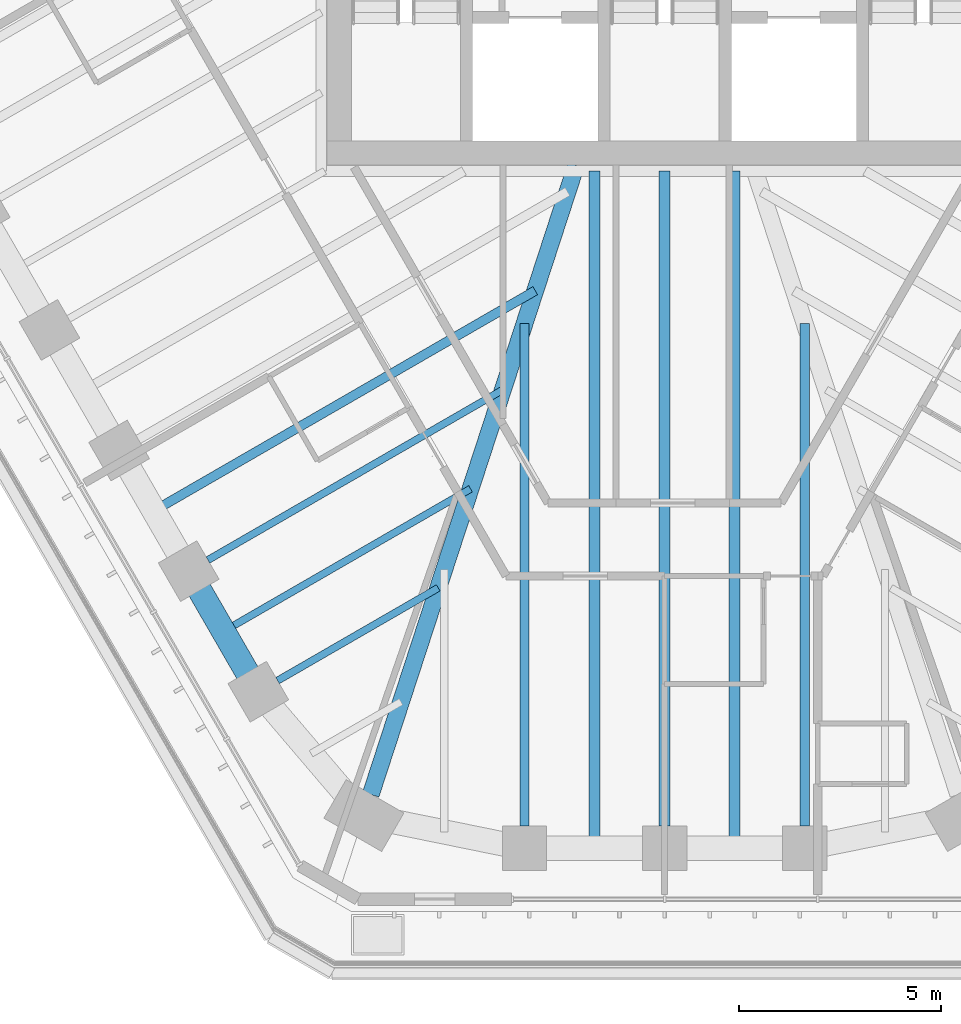
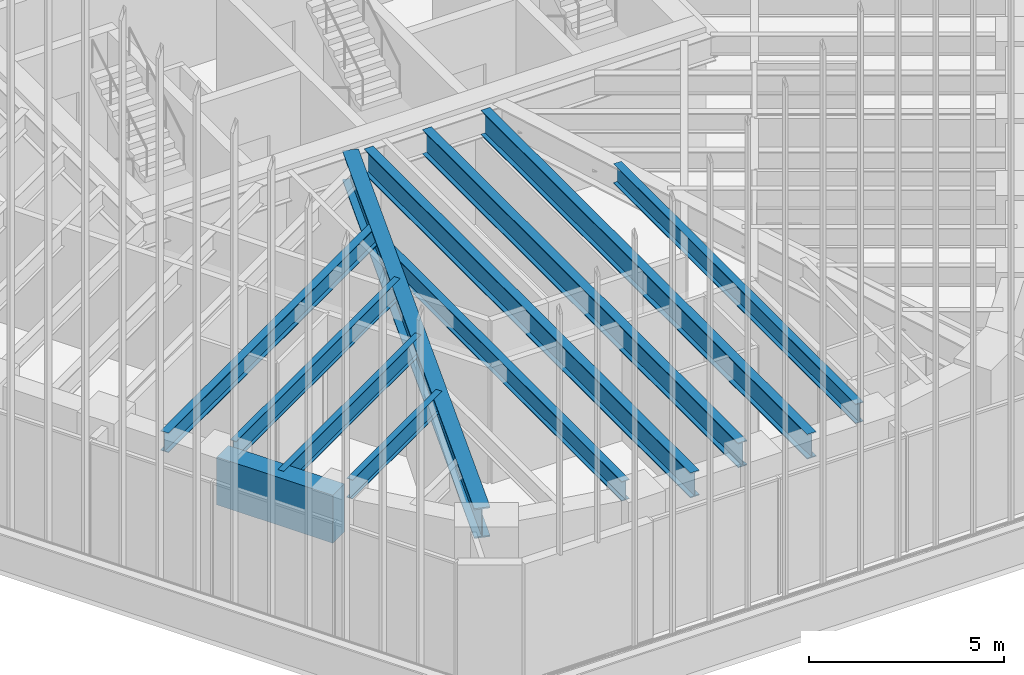
# One storey, part 18 of 127: 11 beams.
"""IFC4 building model written with IfcOpenShell, lengths in metres."""

import ifcopenshell
import ifcopenshell.guid

model = None  # the IFC model being written
_history = None  # IfcOwnerHistory: only IFC2X3 demands one
_inside = {}  # id of a spatial element -> (the spatial element, [elements in it])
_under = {}  # id of a project, library or spatial element -> (it, [spatial elements below it])
_declared = {}  # id of a project -> (the project, [libraries it declares])
_typed = {}  # id of a type object -> (the type object, [elements of that type])
_made_of = {}  # id of a material, layer set ... -> (it, [elements and type objects made of it])


def new_model(schema):
    """Start an empty IFC model of exactly this schema.

    Asked for "IFC4X3", IfcOpenShell would pick the latest addendum, in which some entities
    have other attributes; the version numbers below select the first issue.
    IFC2X3 requires an IfcOwnerHistory on every rooted entity: one is made here for all.
    """
    global model, _history
    if schema == "IFC4X3":
        model = ifcopenshell.file(schema_version=(4, 3, 0, 0))
    else:
        model = ifcopenshell.file(schema=schema)
    _inside.clear()
    _under.clear()
    _declared.clear()
    _typed.clear()
    _made_of.clear()
    _history = None
    if model.schema == "IFC2X3":
        org = make("IfcOrganization", Name="unknown")
        user = make(
            "IfcPersonAndOrganization",
            ThePerson=make("IfcPerson", FamilyName="unknown"),
            TheOrganization=org,
        )
        app = make(
            "IfcApplication",
            ApplicationDeveloper=org,
            Version="unknown",
            ApplicationFullName="unknown",
            ApplicationIdentifier="unknown",
        )
        _history = make(
            "IfcOwnerHistory",
            OwningUser=user,
            OwningApplication=app,
            ChangeAction="ADDED",
            CreationDate=0,
        )
    return model


def make(cls, **values):
    """One entity of the class cls with the attributes given. An attribute that is None is left unset."""
    return model.create_entity(
        cls, **{name: value for name, value in values.items() if value is not None}
    )


def rooted(cls, **values):
    """An entity with a GlobalId (a new one), such as an element, a storey or a relation."""
    return make(cls, GlobalId=ifcopenshell.guid.new(), OwnerHistory=_history, **values)


def si_unit(unit_type, name, prefix=None):
    """IfcSIUnit, for example si_unit("LENGTHUNIT", "METRE", prefix="MILLI")."""
    return make("IfcSIUnit", UnitType=unit_type, Prefix=prefix, Name=name)


def assignment(units):
    """IfcUnitAssignment: the units of a project."""
    return None if units is None else make("IfcUnitAssignment", Units=units)


def point(xyz):
    """IfcCartesianPoint."""
    return None if xyz is None else make("IfcCartesianPoint", Coordinates=xyz)


def direction(xyz):
    """IfcDirection."""
    return None if xyz is None else make("IfcDirection", DirectionRatios=xyz)


def frame(location, z_axis=None, x_axis=None):
    """IfcAxis2Placement3D, a coordinate frame: its origin and axes. An axis left out is left unset."""
    return make(
        "IfcAxis2Placement3D",
        Location=point(location),
        Axis=direction(z_axis),
        RefDirection=direction(x_axis),
    )


def frame_2d(location, x_axis=None):
    """IfcAxis2Placement2D, a coordinate frame in the plane: its origin and x axis."""
    return make(
        "IfcAxis2Placement2D", Location=point(location), RefDirection=direction(x_axis)
    )


def origin():
    """The frame at (0, 0, 0) with its axes left unset."""
    return frame((0.0, 0.0, 0.0))


def origin_2d():
    """The frame at (0, 0) in the plane with its x axis left unset."""
    return frame_2d((0.0, 0.0))


def place(relative_to, where):
    """IfcLocalPlacement: puts the frame where relative to a parent placement (None: the world)."""
    return make(
        "IfcLocalPlacement", PlacementRelTo=relative_to, RelativePlacement=where
    )


def context(
    kind, dimensions, precision=None, world=None, true_north=None, identifier=None
):
    """IfcGeometricRepresentationContext, for example the 3D "Model" context."""
    return make(
        "IfcGeometricRepresentationContext",
        ContextIdentifier=identifier,
        ContextType=kind,
        CoordinateSpaceDimension=dimensions,
        Precision=precision,
        WorldCoordinateSystem=world,
        TrueNorth=true_north,
    )


def subcontext(parent, identifier, kind, view, scale=None):
    """IfcGeometricRepresentationSubContext, for example "Body" below "Model"."""
    return make(
        "IfcGeometricRepresentationSubContext",
        ContextIdentifier=identifier,
        ContextType=kind,
        ParentContext=parent,
        TargetScale=scale,
        TargetView=view,
    )


def project(units=None, contexts=None):
    """IfcProject with its units and contexts."""
    return rooted(
        "IfcProject",
        Name="project",
        RepresentationContexts=contexts,
        UnitsInContext=assignment(units),
    )


def spatial(cls, under=None, at=None, **own):
    """A site, building, storey or space (cls), placed at a placement, below another one or the project."""
    s = rooted(cls, ObjectPlacement=at, **own)
    if under is not None:
        _under.setdefault(under.id(), (under, []))[1].append(s)
    return s


def profile(cls, at=None, kind="AREA", **sizes):
    """A parametric profile (cls). Its sizes go by their IFC names, for example OverallWidth=200.0."""
    return make(cls, ProfileType=kind, Position=at, **sizes)


def rectangle(**sizes):
    """IfcRectangleProfileDef."""
    return profile("IfcRectangleProfileDef", **sizes)


def i_section(**sizes):
    """IfcIShapeProfileDef."""
    return profile("IfcIShapeProfileDef", **sizes)


def extrude(swept, where, along, depth):
    """IfcExtrudedAreaSolid: the profile swept, set in the frame where, extruded along a direction by depth."""
    return make(
        "IfcExtrudedAreaSolid",
        SweptArea=swept,
        Position=where,
        ExtrudedDirection=direction(along),
        Depth=depth,
    )


def shape(context_of_items, identifier, shape_type, items):
    """IfcShapeRepresentation: the items that make up one representation, for example the "Body"."""
    return make(
        "IfcShapeRepresentation",
        ContextOfItems=context_of_items,
        RepresentationIdentifier=identifier,
        RepresentationType=shape_type,
        Items=items,
    )


def material(Name=None, Category=None):
    """IfcMaterial."""
    return make("IfcMaterial", Name=Name, Category=Category)


def material_profile(
    of_material, cross_section, Name=None, Category=None, Priority=None
):
    """IfcMaterialProfile: a cross section and its material."""
    return make(
        "IfcMaterialProfile",
        Name=Name,
        Material=of_material,
        Profile=cross_section,
        Priority=Priority,
        Category=Category,
    )


def profile_set(profiles, Name=None, composite=None):
    """IfcMaterialProfileSet."""
    return make(
        "IfcMaterialProfileSet",
        Name=Name,
        MaterialProfiles=profiles,
        CompositeProfile=composite,
    )


def made_of(thing, what):
    """Note that an element or type object is made of a material, layer set ...; save() writes the relation."""
    if what is not None:
        _made_of.setdefault(what.id(), (what, []))[1].append(thing)
    return thing


def type_object(cls, material=None, **own):
    """A type object (cls), such as IfcWallType, which elements share."""
    return made_of(rooted(cls, **own), material)


def element(
    cls,
    number,
    at=None,
    inside=None,
    cuts=None,
    type_object=None,
    material=None,
    context=None,
    identifier="Body",
    shape_type=None,
    held_by="IfcProductDefinitionShape",
    body=None,
    shapes=None,
    **own,
):
    """One element of the class cls, such as IfcWall. Its Tag is "e" and its number.

    at: its placement. inside: the storey or other place that contains it. cuts: it is an
    opening in that element (IfcRelVoidsElement). A single representation is given by context,
    identifier, shape_type and body (its items); several are given by shapes. held_by: the class
    of the entity that holds the representations. save() writes the other relations.
    """
    e = rooted(cls, Tag="e%d" % number, ObjectPlacement=at, **own)
    if body is not None:
        shapes = [shape(context, identifier, shape_type, body)]
    if shapes is not None:
        e.Representation = make(held_by, Representations=shapes)
    if inside is not None:
        _inside.setdefault(inside.id(), (inside, []))[1].append(e)
    if cuts is not None:
        rooted(
            "IfcRelVoidsElement", RelatingBuildingElement=cuts, RelatedOpeningElement=e
        )
    if type_object is not None:
        _typed.setdefault(type_object.id(), (type_object, []))[1].append(e)
    return made_of(e, material)


def aggregate(whole, parts):
    """IfcRelAggregates: a whole, such as a stair, and the parts it consists of."""
    return rooted("IfcRelAggregates", RelatingObject=whole, RelatedObjects=parts)


def save(model, path):
    """Write the relations noted so far, then the file.

    IfcRelAggregates (storeys below a building ...), IfcRelContainedInSpatialStructure (elements
    in a storey), IfcRelDefinesByType, IfcRelAssociatesMaterial and IfcRelDeclares: one each for
    every whole, place, type object, material and project.
    """
    for whole, parts in _under.values():
        aggregate(whole, parts)
    for where, things in _inside.values():
        rooted(
            "IfcRelContainedInSpatialStructure",
            RelatedElements=things,
            RelatingStructure=where,
        )
    for kind, things in _typed.values():
        rooted("IfcRelDefinesByType", RelatedObjects=things, RelatingType=kind)
    for what, things in _made_of.values():
        rooted("IfcRelAssociatesMaterial", RelatedObjects=things, RelatingMaterial=what)
    for by, libraries in _declared.values():
        rooted("IfcRelDeclares", RelatingContext=by, RelatedDefinitions=libraries)
    model.write(path)


model = new_model("IFC4")

# Units and contexts
model_context = context("Model", 3, precision=1e-05, world=origin(), true_north=direction((0.0, 1.0)))
body_context = subcontext(model_context, "Body", "Model", "MODEL_VIEW")
ifc_project = project(units=[si_unit("LENGTHUNIT", "METRE"), si_unit("AREAUNIT", "SQUARE_METRE"), si_unit("VOLUMEUNIT", "CUBIC_METRE"), si_unit("PLANEANGLEUNIT", "RADIAN"), si_unit("MASSUNIT", "GRAM", prefix="KILO")], contexts=[model_context])

# Site, building, storey
site_placement = place(None, origin())
site = spatial("IfcSite", under=ifc_project, at=site_placement, CompositionType="ELEMENT")
building_placement = place(site_placement, origin())
building = spatial("IfcBuilding", under=site, at=building_placement, Name="Sandreach Pilgrim Tower", CompositionType="ELEMENT")
storey_placement = place(building_placement, frame((0.0, 0.0, 257.0)))
storey = spatial("IfcBuildingStorey", under=building, at=storey_placement, Name="L64", CompositionType="ELEMENT", Elevation=257.0)

# Beams
ifc_material_1 = material(Name="Steel ASTM A992 Grade 50", Category="steel")
ifc_material_profile_1 = material_profile(ifc_material_1, i_section(OverallWidth=0.421630859375, OverallDepth=0.937255859375, WebThickness=0.0224609375, FlangeThickness=0.039794921875, at=origin_2d()), Name="W36X282")
ifc_profile_set_1 = profile_set([ifc_material_profile_1], Name="Steel ASTM A992 Grade 50")
beam_type_1 = type_object("IfcBeamType", Name="Corner girder W36X282", PredefinedType="BEAM", material=ifc_profile_set_1)
beam_1_placement = place(storey_placement, frame((-7.268310546875, -22.2666015625, 3.17138671875), z_axis=(0.310308570047, 0.950635887896, 0.0), x_axis=(-0.950635887896, 0.310308570047, 0.0)))
element("IfcBeam", 1, at=beam_1_placement, inside=storey, type_object=beam_type_1, Name="BM L64 CG26", PredefinedType="BEAM", context=body_context, shape_type="SweptSolid", body=[
    extrude(i_section(OverallWidth=0.421630859375, OverallDepth=0.937255859375, WebThickness=0.0224609375, FlangeThickness=0.039794921875, at=origin_2d()), origin(), (0.0, 0.0, 1.0), 16.375),
])
ifc_material_2 = material(Name="Steel ASTM A992 Grade 50", Category="steel")
ifc_material_profile_2 = material_profile(ifc_material_2, i_section(OverallWidth=0.1787109375, OverallDepth=0.60205078125, WebThickness=0.010986328125, FlangeThickness=0.014892578125, at=origin_2d()), Name="W24X62")
ifc_profile_set_2 = profile_set([ifc_material_profile_2], Name="Steel ASTM A992 Grade 50")
beam_type_2 = type_object("IfcBeamType", Name="Floor beam W24X62", PredefinedType="BEAM", material=ifc_profile_set_2)
beam_2_placement = place(storey_placement, frame((-9.573974609375, -19.450439453125, 3.339111328125), z_axis=(0.866024320471, 0.50000187635, 0.0), x_axis=(-0.50000187635, 0.866024320471, 0.0)))
element("IfcBeam", 2, at=beam_2_placement, inside=storey, type_object=beam_type_2, Name="BM L64 F27", PredefinedType="BEAM", context=body_context, shape_type="SweptSolid", body=[
    extrude(i_section(OverallWidth=0.1787109375, OverallDepth=0.60205078125, WebThickness=0.010986328125, FlangeThickness=0.014892578125, at=origin_2d()), origin(), (0.0, 0.0, 1.0), 4.58837890625),
])
beam_3_placement = place(storey_placement, frame((-11.29638671875, -16.466796875, 3.339111328125), z_axis=(0.866026819143, 0.499997548519, 0.0), x_axis=(-0.499997548519, 0.866026819143, 0.0)))
element("IfcBeam", 3, at=beam_3_placement, inside=storey, type_object=beam_type_2, Name="BM L64 F28", PredefinedType="BEAM", context=body_context, shape_type="SweptSolid", body=[
    extrude(i_section(OverallWidth=0.1787109375, OverallDepth=0.60205078125, WebThickness=0.010986328125, FlangeThickness=0.014892578125, at=origin_2d()), origin(), (0.0, 0.0, 1.0), 8.4248046875),
])
beam_4_placement = place(storey_placement, frame((-10.911376953125, -18.233642578125, 3.339111328125), z_axis=(0.866020229007, 0.50000896287, 0.0), x_axis=(-0.50000896287, 0.866020229007, 0.0)))
element("IfcBeam", 4, at=beam_4_placement, inside=storey, type_object=beam_type_2, Name="BM L64 FM27", PredefinedType="BEAM", context=body_context, shape_type="SweptSolid", body=[
    extrude(i_section(OverallWidth=0.1787109375, OverallDepth=0.60205078125, WebThickness=0.010986328125, FlangeThickness=0.014892578125, at=origin_2d()), origin(), (0.0, 0.0, 1.0), 7.056396484375),
])
ifc_material_3 = material(Name="Steel ASTM A992 Grade 50", Category="steel")
ifc_material_profile_3 = material_profile(ifc_material_3, i_section(OverallWidth=0.23046875, OverallDepth=0.6171875, WebThickness=0.01318359375, FlangeThickness=0.022216796875, at=origin_2d()), Name="W24X94")
ifc_profile_set_3 = profile_set([ifc_material_profile_3], Name="Steel ASTM A992 Grade 50")
beam_type_3 = type_object("IfcBeamType", Name="Floor beam W24X94", PredefinedType="BEAM", material=ifc_profile_set_3)
for number, where, z_axis, x_axis, name in (
    (5, (3.465576171875, -23.048095703125, 3.331298828125), (0.0, 1.0, 0.0), (-1.0, 0.0, 0.0), "BM L64 F23"),
    (6, (-3.465576171875, -23.048095703125, 3.331298828125), (0.0, 1.0, 0.0), (-1.0, 0.0, 0.0), "BM L64 F25"),
):
    element("IfcBeam", number, at=place(storey_placement, frame(where, z_axis=z_axis, x_axis=x_axis)), inside=storey, type_object=beam_type_3, Name=name, PredefinedType="BEAM", context=body_context, shape_type="SweptSolid", body=[
        extrude(i_section(OverallWidth=0.23046875, OverallDepth=0.6171875, WebThickness=0.01318359375, FlangeThickness=0.022216796875, at=origin_2d()), origin(), (0.0, 0.0, 1.0), 12.431396484375),
    ])
beam_5_placement = place(storey_placement, frame((-12.634033203125, -15.250244140625, 3.331298828125), z_axis=(0.866019500887, 0.500010223979, 0.0), x_axis=(-0.500010223979, 0.866019500887, 0.0)))
element("IfcBeam", 7, at=beam_5_placement, inside=storey, type_object=beam_type_3, Name="BM L64 FM28", PredefinedType="BEAM", context=body_context, shape_type="SweptSolid", body=[
    extrude(i_section(OverallWidth=0.23046875, OverallDepth=0.6171875, WebThickness=0.01318359375, FlangeThickness=0.022216796875, at=origin_2d()), origin(), (0.0, 0.0, 1.0), 10.893310546875),
])
ifc_material_4 = material(Name="Steel ASTM A992 Grade 50", Category="steel")
ifc_material_profile_4 = material_profile(ifc_material_4, i_section(OverallWidth=0.2666015625, OverallDepth=0.77978515625, WebThickness=0.0166015625, FlangeThickness=0.030029296875, at=origin_2d()), Name="W30X148")
ifc_profile_set_4 = profile_set([ifc_material_profile_4], Name="Steel ASTM A992 Grade 50")
beam_type_4 = type_object("IfcBeamType", Name="Floor beam W30X148", PredefinedType="BEAM", material=ifc_profile_set_4)
beam_6_placement = place(storey_placement, frame((0.0, -23.048095703125, 3.25), z_axis=(0.0, 1.0, 0.0), x_axis=(-1.0, 0.0, 0.0)))
element("IfcBeam", 8, at=beam_6_placement, inside=storey, type_object=beam_type_4, Name="BM L64 F24", PredefinedType="BEAM", context=body_context, shape_type="SweptSolid", body=[
    extrude(i_section(OverallWidth=0.2666015625, OverallDepth=0.77978515625, WebThickness=0.0166015625, FlangeThickness=0.030029296875, at=origin_2d()), origin(), (0.0, 0.0, 1.0), 16.204833984375),
])
for number, where, z_axis, x_axis, name in (
    (9, (1.732666015625, -23.59814453125, 3.25), (0.0, 1.0, 0.0), (-1.0, 0.0, 0.0), "BM L64 FM23"),
    (10, (-1.732666015625, -23.59814453125, 3.25), (0.0, 1.0, 0.0), (-1.0, 0.0, 0.0), "BM L64 FM24"),
):
    element("IfcBeam", number, at=place(storey_placement, frame(where, z_axis=z_axis, x_axis=x_axis)), inside=storey, type_object=beam_type_4, Name=name, PredefinedType="BEAM", context=body_context, shape_type="SweptSolid", body=[
        extrude(i_section(OverallWidth=0.2666015625, OverallDepth=0.77978515625, WebThickness=0.0166015625, FlangeThickness=0.030029296875, at=origin_2d()), origin(), (0.0, 0.0, 1.0), 16.7548828125),
    ])
ifc_material_5 = material(Name="Concrete 10000 psi", Category="concrete")
ifc_material_profile_5 = material_profile(ifc_material_5, rectangle(XDim=0.60009765625, YDim=1.5, at=origin_2d()), Name="RC600X1500")
ifc_profile_set_5 = profile_set([ifc_material_profile_5], Name="Concrete 10000 psi")
beam_type_5 = type_object("IfcBeamType", Name="Spandrel beam RC600X1500", PredefinedType="SPANDREL", material=ifc_profile_set_5)
beam_7_placement = place(storey_placement, frame((-10.05029296875, -19.725341796875, 2.889892578125), z_axis=(-0.499988291006, 0.866032163869, 0.0), x_axis=(-0.866032163869, -0.499988291006, 0.0)))
element("IfcBeam", 11, at=beam_7_placement, inside=storey, type_object=beam_type_5, Name="BM L64 SP27", PredefinedType="SPANDREL", context=body_context, shape_type="SweptSolid", body=[
    extrude(rectangle(XDim=0.60009765625, YDim=1.5, at=origin_2d()), origin(), (0.0, 0.0, 1.0), 3.44482421875),
])

save(model, "model.ifc")
